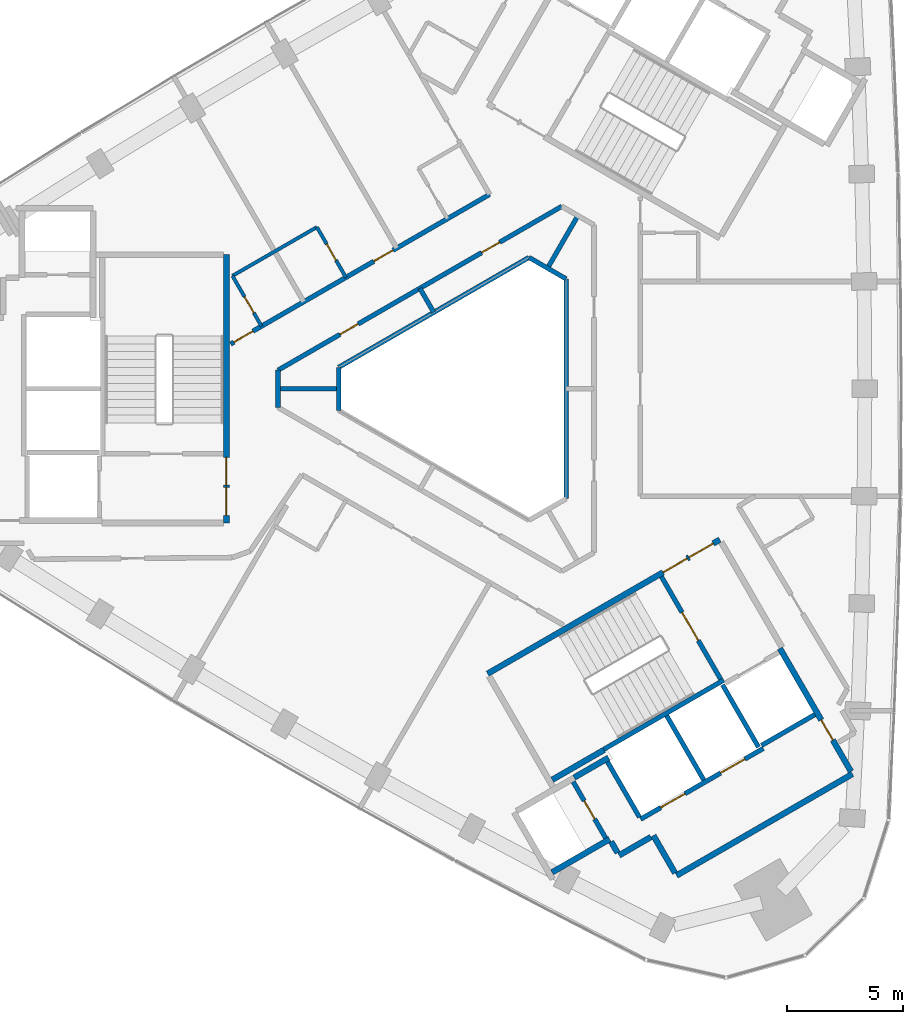
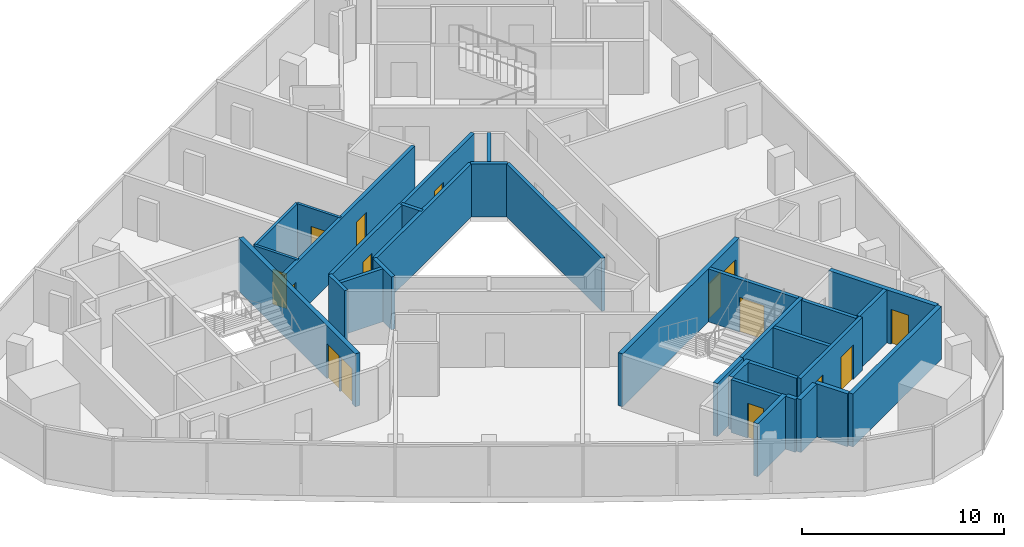
# One storey, part 8 of 11: 31 walls, 15 doors, 15 openings.
"""IFC4 building model written with IfcOpenShell, lengths in metres."""

import ifcopenshell
import ifcopenshell.guid

model = None  # the IFC model being written
_history = None  # IfcOwnerHistory: only IFC2X3 demands one
_inside = {}  # id of a spatial element -> (the spatial element, [elements in it])
_under = {}  # id of a project, library or spatial element -> (it, [spatial elements below it])
_declared = {}  # id of a project -> (the project, [libraries it declares])
_typed = {}  # id of a type object -> (the type object, [elements of that type])
_made_of = {}  # id of a material, layer set ... -> (it, [elements and type objects made of it])


def new_model(schema):
    """Start an empty IFC model of exactly this schema.

    Asked for "IFC4X3", IfcOpenShell would pick the latest addendum, in which some entities
    have other attributes; the version numbers below select the first issue.
    IFC2X3 requires an IfcOwnerHistory on every rooted entity: one is made here for all.
    """
    global model, _history
    if schema == "IFC4X3":
        model = ifcopenshell.file(schema_version=(4, 3, 0, 0))
    else:
        model = ifcopenshell.file(schema=schema)
    _inside.clear()
    _under.clear()
    _declared.clear()
    _typed.clear()
    _made_of.clear()
    _history = None
    if model.schema == "IFC2X3":
        org = make("IfcOrganization", Name="unknown")
        user = make(
            "IfcPersonAndOrganization",
            ThePerson=make("IfcPerson", FamilyName="unknown"),
            TheOrganization=org,
        )
        app = make(
            "IfcApplication",
            ApplicationDeveloper=org,
            Version="unknown",
            ApplicationFullName="unknown",
            ApplicationIdentifier="unknown",
        )
        _history = make(
            "IfcOwnerHistory",
            OwningUser=user,
            OwningApplication=app,
            ChangeAction="ADDED",
            CreationDate=0,
        )
    return model


def make(cls, **values):
    """One entity of the class cls with the attributes given. An attribute that is None is left unset."""
    return model.create_entity(
        cls, **{name: value for name, value in values.items() if value is not None}
    )


def rooted(cls, **values):
    """An entity with a GlobalId (a new one), such as an element, a storey or a relation."""
    return make(cls, GlobalId=ifcopenshell.guid.new(), OwnerHistory=_history, **values)


def si_unit(unit_type, name, prefix=None):
    """IfcSIUnit, for example si_unit("LENGTHUNIT", "METRE", prefix="MILLI")."""
    return make("IfcSIUnit", UnitType=unit_type, Prefix=prefix, Name=name)


def assignment(units):
    """IfcUnitAssignment: the units of a project."""
    return None if units is None else make("IfcUnitAssignment", Units=units)


def point(xyz):
    """IfcCartesianPoint."""
    return None if xyz is None else make("IfcCartesianPoint", Coordinates=xyz)


def direction(xyz):
    """IfcDirection."""
    return None if xyz is None else make("IfcDirection", DirectionRatios=xyz)


def frame(location, z_axis=None, x_axis=None):
    """IfcAxis2Placement3D, a coordinate frame: its origin and axes. An axis left out is left unset."""
    return make(
        "IfcAxis2Placement3D",
        Location=point(location),
        Axis=direction(z_axis),
        RefDirection=direction(x_axis),
    )


def frame_2d(location, x_axis=None):
    """IfcAxis2Placement2D, a coordinate frame in the plane: its origin and x axis."""
    return make(
        "IfcAxis2Placement2D", Location=point(location), RefDirection=direction(x_axis)
    )


def origin():
    """The frame at (0, 0, 0) with its axes left unset."""
    return frame((0.0, 0.0, 0.0))


def place(relative_to, where):
    """IfcLocalPlacement: puts the frame where relative to a parent placement (None: the world)."""
    return make(
        "IfcLocalPlacement", PlacementRelTo=relative_to, RelativePlacement=where
    )


def context(
    kind, dimensions, precision=None, world=None, true_north=None, identifier=None
):
    """IfcGeometricRepresentationContext, for example the 3D "Model" context."""
    return make(
        "IfcGeometricRepresentationContext",
        ContextIdentifier=identifier,
        ContextType=kind,
        CoordinateSpaceDimension=dimensions,
        Precision=precision,
        WorldCoordinateSystem=world,
        TrueNorth=true_north,
    )


def subcontext(parent, identifier, kind, view, scale=None):
    """IfcGeometricRepresentationSubContext, for example "Body" below "Model"."""
    return make(
        "IfcGeometricRepresentationSubContext",
        ContextIdentifier=identifier,
        ContextType=kind,
        ParentContext=parent,
        TargetScale=scale,
        TargetView=view,
    )


def project(units=None, contexts=None):
    """IfcProject with its units and contexts."""
    return rooted(
        "IfcProject",
        Name="project",
        RepresentationContexts=contexts,
        UnitsInContext=assignment(units),
    )


def spatial(cls, under=None, at=None, **own):
    """A site, building, storey or space (cls), placed at a placement, below another one or the project."""
    s = rooted(cls, ObjectPlacement=at, **own)
    if under is not None:
        _under.setdefault(under.id(), (under, []))[1].append(s)
    return s


def profile(cls, at=None, kind="AREA", **sizes):
    """A parametric profile (cls). Its sizes go by their IFC names, for example OverallWidth=200.0."""
    return make(cls, ProfileType=kind, Position=at, **sizes)


def rectangle(**sizes):
    """IfcRectangleProfileDef."""
    return profile("IfcRectangleProfileDef", **sizes)


def extrude(swept, where, along, depth):
    """IfcExtrudedAreaSolid: the profile swept, set in the frame where, extruded along a direction by depth."""
    return make(
        "IfcExtrudedAreaSolid",
        SweptArea=swept,
        Position=where,
        ExtrudedDirection=direction(along),
        Depth=depth,
    )


def shape(context_of_items, identifier, shape_type, items):
    """IfcShapeRepresentation: the items that make up one representation, for example the "Body"."""
    return make(
        "IfcShapeRepresentation",
        ContextOfItems=context_of_items,
        RepresentationIdentifier=identifier,
        RepresentationType=shape_type,
        Items=items,
    )


def material(Name=None, Category=None):
    """IfcMaterial."""
    return make("IfcMaterial", Name=Name, Category=Category)


def layer(
    of_material, thickness, ventilated=None, Name=None, Category=None, Priority=None
):
    """IfcMaterialLayer: one layer of a wall or slab, of a material (None: an air gap)."""
    return make(
        "IfcMaterialLayer",
        Material=of_material,
        LayerThickness=thickness,
        IsVentilated=ventilated,
        Name=Name,
        Category=Category,
        Priority=Priority,
    )


def layer_set(layers, Name=None):
    """IfcMaterialLayerSet."""
    return make("IfcMaterialLayerSet", MaterialLayers=layers, LayerSetName=Name)


def made_of(thing, what):
    """Note that an element or type object is made of a material, layer set ...; save() writes the relation."""
    if what is not None:
        _made_of.setdefault(what.id(), (what, []))[1].append(thing)
    return thing


def type_object(cls, material=None, **own):
    """A type object (cls), such as IfcWallType, which elements share."""
    return made_of(rooted(cls, **own), material)


def element(
    cls,
    number,
    at=None,
    inside=None,
    cuts=None,
    type_object=None,
    material=None,
    context=None,
    identifier="Body",
    shape_type=None,
    held_by="IfcProductDefinitionShape",
    body=None,
    shapes=None,
    **own,
):
    """One element of the class cls, such as IfcWall. Its Tag is "e" and its number.

    at: its placement. inside: the storey or other place that contains it. cuts: it is an
    opening in that element (IfcRelVoidsElement). A single representation is given by context,
    identifier, shape_type and body (its items); several are given by shapes. held_by: the class
    of the entity that holds the representations. save() writes the other relations.
    """
    e = rooted(cls, Tag="e%d" % number, ObjectPlacement=at, **own)
    if body is not None:
        shapes = [shape(context, identifier, shape_type, body)]
    if shapes is not None:
        e.Representation = make(held_by, Representations=shapes)
    if inside is not None:
        _inside.setdefault(inside.id(), (inside, []))[1].append(e)
    if cuts is not None:
        rooted(
            "IfcRelVoidsElement", RelatingBuildingElement=cuts, RelatedOpeningElement=e
        )
    if type_object is not None:
        _typed.setdefault(type_object.id(), (type_object, []))[1].append(e)
    return made_of(e, material)


def fill(opening, filler):
    """IfcRelFillsElement: the door or window that sits in an opening."""
    return rooted(
        "IfcRelFillsElement",
        RelatingOpeningElement=opening,
        RelatedBuildingElement=filler,
    )


def aggregate(whole, parts):
    """IfcRelAggregates: a whole, such as a stair, and the parts it consists of."""
    return rooted("IfcRelAggregates", RelatingObject=whole, RelatedObjects=parts)


def save(model, path):
    """Write the relations noted so far, then the file.

    IfcRelAggregates (storeys below a building ...), IfcRelContainedInSpatialStructure (elements
    in a storey), IfcRelDefinesByType, IfcRelAssociatesMaterial and IfcRelDeclares: one each for
    every whole, place, type object, material and project.
    """
    for whole, parts in _under.values():
        aggregate(whole, parts)
    for where, things in _inside.values():
        rooted(
            "IfcRelContainedInSpatialStructure",
            RelatedElements=things,
            RelatingStructure=where,
        )
    for kind, things in _typed.values():
        rooted("IfcRelDefinesByType", RelatedObjects=things, RelatingType=kind)
    for what, things in _made_of.values():
        rooted("IfcRelAssociatesMaterial", RelatedObjects=things, RelatingMaterial=what)
    for by, libraries in _declared.values():
        rooted("IfcRelDeclares", RelatingContext=by, RelatedDefinitions=libraries)
    model.write(path)


model = new_model("IFC4")

# Units and contexts
model_context = context("Model", 3, precision=1e-05, world=origin(), true_north=direction((0.0, 1.0)))
body_context = subcontext(model_context, "Body", "Model", "MODEL_VIEW")
ifc_project = project(units=[si_unit("LENGTHUNIT", "METRE"), si_unit("AREAUNIT", "SQUARE_METRE"), si_unit("VOLUMEUNIT", "CUBIC_METRE"), si_unit("PLANEANGLEUNIT", "RADIAN"), si_unit("MASSUNIT", "GRAM", prefix="KILO")], contexts=[model_context])

# Site, building, storey
site_placement = place(None, origin())
site = spatial("IfcSite", under=ifc_project, at=site_placement, CompositionType="ELEMENT")
building_placement = place(site_placement, origin())
building = spatial("IfcBuilding", under=site, at=building_placement, Name="Tamra Quay Hotel Tower", CompositionType="ELEMENT")
storey_placement = place(building_placement, frame((0.0, 0.0, 253.800048828125)))
storey = spatial("IfcBuildingStorey", under=building, at=storey_placement, Name="L64", CompositionType="ELEMENT", Elevation=253.800048828125)

# Wall
ifc_material_1 = material(Name="Concrete M70", Category="concrete")
ifc_layer_1 = layer(ifc_material_1, 0.199951171875)
ifc_layer_set_1 = layer_set([ifc_layer_1], Name="Concrete M70 core wall 200")
wall_type_1 = type_object("IfcWallType", Name="Concrete M70 core wall 200", PredefinedType="SHEAR", material=ifc_layer_set_1)
wall_1_placement = place(storey_placement, frame((5.4189453125, -15.533935546875, 0.0), z_axis=(0.0, 0.0, 1.0), x_axis=(0.866029065029, 0.499993658486, 0.0)))
element("IfcWall", 1, at=wall_1_placement, inside=storey, type_object=wall_type_1, Name="CW2", PredefinedType="SHEAR", context=body_context, shape_type="SweptSolid", body=[
    extrude(rectangle(XDim=5.97412109375, YDim=0.199951171875, at=frame_2d((2.987060546875, 0.0))), origin(), (0.0, 0.0, 1.0), 3.199951171875),
])

# Wall, openings, doors
wall_2_placement = place(storey_placement, frame((7.009765625, -18.54150390625, 0.0), z_axis=(0.0, 0.0, 1.0), x_axis=(0.866030299012, 0.499991521122, 0.0)))
wall_2 = element("IfcWall", 2, at=wall_2_placement, inside=storey, type_object=wall_type_1, Name="CW2", PredefinedType="SHEAR", context=body_context, shape_type="SweptSolid", body=[
    extrude(rectangle(XDim=6.10009765625, YDim=0.199951171875, at=frame_2d((3.050048828125, 0.0))), origin(), (0.0, 0.0, 1.0), 3.199951171875),
])
opening_1_placement = place(wall_2_placement, frame((1.0, 0.0, 0.0)))
opening_1 = element("IfcOpeningElement", 3, at=opening_1_placement, cuts=wall_2, Name="Opening LD", PredefinedType="OPENING", context=body_context, shape_type="SweptSolid", body=[
    extrude(rectangle(XDim=1.199951171875, YDim=2.10009765625, at=frame_2d((0.60009765625, 1.050048828125))), frame((0.0, 0.10986328125, 0.0), z_axis=(0.0, -1.0, 0.0), x_axis=(1.0, 0.0, 0.0)), (0.0, 0.0, 1.0), 0.219970703125),
])
opening_2_placement = place(wall_2_placement, frame((3.982177734375, 0.0, 0.0)))
opening_2 = element("IfcOpeningElement", 4, at=opening_2_placement, cuts=wall_2, Name="Opening LD", PredefinedType="OPENING", context=body_context, shape_type="SweptSolid", body=[
    extrude(rectangle(XDim=1.199951171875, YDim=2.10009765625, at=frame_2d((0.60009765625, 1.050048828125))), frame((0.0, 0.10986328125, 0.0), z_axis=(0.0, -1.0, 0.0), x_axis=(1.0, 0.0, 0.0)), (0.0, 0.0, 1.0), 0.219970703125),
])
ifc_material_2 = material(Name="Landing door LD 1200 double door sliding")
door_type_1 = type_object("IfcDoorType", Name="Landing door LD 1200 double door sliding", OperationType="DOUBLE_DOOR_SLIDING", PredefinedType="DOOR", material=ifc_material_2)
door_1_placement = place(opening_1_placement, origin())
door_1 = element("IfcDoor", 5, at=door_1_placement, inside=storey, type_object=door_type_1, Name="LD", OperationType="DOUBLE_DOOR_SLIDING", OverallHeight=2.10009765625, OverallWidth=1.199951171875, PredefinedType="DOOR", context=body_context, shape_type="SweptSolid", body=[
    extrude(rectangle(XDim=1.199951171875, YDim=2.10009765625, at=frame_2d((0.60009765625, 1.050048828125))), frame((0.0, 0.02490234375, 0.0), z_axis=(0.0, -1.0, 0.0), x_axis=(1.0, 0.0, 0.0)), (0.0, 0.0, 1.0), 0.050048828125),
])
fill(opening_1, door_1)
door_2_placement = place(opening_2_placement, origin())
door_2 = element("IfcDoor", 6, at=door_2_placement, inside=storey, type_object=door_type_1, Name="LD", OperationType="DOUBLE_DOOR_SLIDING", OverallHeight=2.10009765625, OverallWidth=1.199951171875, PredefinedType="DOOR", context=body_context, shape_type="SweptSolid", body=[
    extrude(rectangle(XDim=1.199951171875, YDim=2.10009765625, at=frame_2d((0.60009765625, 1.050048828125))), frame((0.0, 0.02490234375, 0.0), z_axis=(0.0, -1.0, 0.0), x_axis=(1.0, 0.0, 0.0)), (0.0, 0.0, 1.0), 0.050048828125),
])
fill(opening_2, door_2)

# Wall, opening, door
wall_3_placement = place(storey_placement, frame((7.906494140625, -8.094482421875, 0.0), z_axis=(0.0, 0.0, 1.0), x_axis=(0.500027839223, -0.866009330205, 0.0)))
wall_3 = element("IfcWall", 7, at=wall_3_placement, inside=storey, type_object=wall_type_1, Name="CW2", PredefinedType="SHEAR", context=body_context, shape_type="SweptSolid", body=[
    extrude(rectangle(XDim=5.097900390625, YDim=0.199951171875, at=frame_2d((2.548828125, 0.0))), origin(), (0.0, 0.0, 1.0), 3.199951171875),
])
opening_3_placement = place(wall_3_placement, frame((1.77392578125, 0.0, 0.0)))
opening_3 = element("IfcOpeningElement", 8, at=opening_3_placement, cuts=wall_3, Name="Opening FD2", PredefinedType="OPENING", context=body_context, shape_type="SweptSolid", body=[
    extrude(rectangle(XDim=1.39990234375, YDim=2.10009765625, at=frame_2d((0.699951171875, 1.050048828125))), frame((0.0, 0.10986328125, 0.0), z_axis=(0.0, -1.0, 0.0), x_axis=(1.0, 0.0, 0.0)), (0.0, 0.0, 1.0), 0.219970703125),
])
ifc_material_3 = material(Name="Core door FD2 1400x2100 RH")
door_type_2 = type_object("IfcDoorType", Name="Core door FD2 1400x2100 RH", OperationType="NOTDEFINED", PredefinedType="DOOR", material=ifc_material_3)
door_3_placement = place(opening_3_placement, origin())
door_3 = element("IfcDoor", 9, at=door_3_placement, inside=storey, type_object=door_type_2, Name="FD2", OperationType="SINGLE_SWING_RIGHT", OverallHeight=2.10009765625, OverallWidth=1.39990234375, PredefinedType="DOOR", context=body_context, shape_type="SweptSolid", body=[
    extrude(rectangle(XDim=1.39990234375, YDim=2.10009765625, at=frame_2d((0.699951171875, 1.050048828125))), frame((0.0, 0.02490234375, 0.0), z_axis=(0.0, -1.0, 0.0), x_axis=(1.0, 0.0, 0.0)), (0.0, 0.0, 1.0), 0.050048828125),
])
fill(opening_3, door_3)

# Wall
wall_4_placement = place(storey_placement, frame((8.131591796875, -14.084228515625, 0.0), z_axis=(0.0, 0.0, 1.0), x_axis=(0.499997778408, -0.866026686418, 0.0)))
element("IfcWall", 10, at=wall_4_placement, inside=storey, type_object=wall_type_1, Name="CW2", PredefinedType="SHEAR", context=body_context, shape_type="SweptSolid", body=[
    extrude(rectangle(XDim=3.1982421875, YDim=0.199951171875, at=frame_2d((1.59912109375, 0.0))), origin(), (0.0, 0.0, 1.0), 3.199951171875),
])

# Wall, opening, door
wall_5_placement = place(storey_placement, frame((5.50341796875, -19.352294921875, 0.0), z_axis=(0.0, 0.0, 1.0), x_axis=(-0.499986818241, 0.866033014143, 0.0)))
wall_5 = element("IfcWall", 11, at=wall_5_placement, inside=storey, type_object=wall_type_1, Name="CW2", PredefinedType="SHEAR", context=body_context, shape_type="SweptSolid", body=[
    extrude(rectangle(XDim=2.7978515625, YDim=0.199951171875, at=frame_2d((1.39892578125, 0.0))), origin(), (0.0, 0.0, 1.0), 3.199951171875),
])
opening_4_placement = place(wall_5_placement, frame((0.948974609375, 0.0, 0.0)))
opening_4 = element("IfcOpeningElement", 12, at=opening_4_placement, cuts=wall_5, Name="Opening D1", PredefinedType="OPENING", context=body_context, shape_type="SweptSolid", body=[
    extrude(rectangle(XDim=0.89990234375, YDim=2.10009765625, at=frame_2d((0.449951171875, 1.050048828125))), frame((0.0, 0.10986328125, 0.0), z_axis=(0.0, -1.0, 0.0), x_axis=(1.0, 0.0, 0.0)), (0.0, 0.0, 1.0), 0.219970703125),
])
ifc_material_4 = material(Name="Core door D1 900x2100 LH")
door_type_3 = type_object("IfcDoorType", Name="Core door D1 900x2100 LH", OperationType="NOTDEFINED", PredefinedType="DOOR", material=ifc_material_4)
door_4_placement = place(opening_4_placement, origin())
door_4 = element("IfcDoor", 13, at=door_4_placement, inside=storey, type_object=door_type_3, Name="D1", OperationType="SINGLE_SWING_LEFT", OverallHeight=2.10009765625, OverallWidth=0.89990234375, PredefinedType="DOOR", context=body_context, shape_type="SweptSolid", body=[
    extrude(rectangle(XDim=0.89990234375, YDim=2.10009765625, at=frame_2d((0.449951171875, 1.050048828125))), frame((0.0, 0.02490234375, 0.0), z_axis=(0.0, -1.0, 0.0), x_axis=(1.0, 0.0, 0.0)), (0.0, 0.0, 1.0), 0.050048828125),
])
fill(opening_4, door_4)

# Walls
wall_6_placement = place(storey_placement, frame((6.959716796875, -18.455078125, 0.0), z_axis=(0.0, 0.0, 1.0), x_axis=(-0.499926705758, 0.866067716099, 0.0)))
element("IfcWall", 14, at=wall_6_placement, inside=storey, type_object=wall_type_1, Name="CW2", PredefinedType="SHEAR", context=body_context, shape_type="SweptSolid", body=[
    extrude(rectangle(XDim=2.75927734375, YDim=0.199951171875, at=frame_2d((1.379638671875, 0.0))), origin(), (0.0, 0.0, 1.0), 3.199951171875),
])
wall_7_placement = place(storey_placement, frame((12.087646484375, -15.4365234375, 0.0), z_axis=(0.0, 0.0, 1.0), x_axis=(-0.500026960575, 0.86600983753, 0.0)))
element("IfcWall", 15, at=wall_7_placement, inside=storey, type_object=wall_type_1, Name="CW2", PredefinedType="SHEAR", context=body_context, shape_type="SweptSolid", body=[
    extrude(rectangle(XDim=3.099853515625, YDim=0.199951171875, at=frame_2d((1.5498046875, 0.0))), origin(), (0.0, 0.0, 1.0), 3.199951171875),
])
wall_8_placement = place(storey_placement, frame((14.51171875, -14.037109375, 0.0), z_axis=(0.0, 0.0, 1.0), x_axis=(-0.866018407898, -0.500012117035, 0.0)))
element("IfcWall", 16, at=wall_8_placement, inside=storey, type_object=wall_type_1, Name="CW2", PredefinedType="SHEAR", context=body_context, shape_type="SweptSolid", body=[
    extrude(rectangle(XDim=2.65087890625, YDim=0.199951171875, at=frame_2d((1.325439453125, 0.0))), origin(), (0.0, 0.0, 1.0), 3.199951171875),
])

# Wall, openings, doors
ifc_layer_2 = layer(ifc_material_1, 0.25)
ifc_layer_set_2 = layer_set([ifc_layer_2], Name="Concrete M70 core wall 250")
wall_type_2 = type_object("IfcWallType", Name="Concrete M70 core wall 250", PredefinedType="SHEAR", material=ifc_layer_set_2)
wall_9_placement = place(storey_placement, frame((-10.83740234375, 5.77490234375, 0.0), z_axis=(0.0, 0.0, 1.0), x_axis=(0.0, -1.0, 0.0)))
wall_9 = element("IfcWall", 17, at=wall_9_placement, inside=storey, type_object=wall_type_2, Name="CW1", PredefinedType="SHEAR", context=body_context, shape_type="SweptSolid", body=[
    extrude(rectangle(XDim=11.5498046875, YDim=0.25, at=frame_2d((5.77490234375, 0.0))), origin(), (0.0, 0.0, 1.0), 3.199951171875),
])
opening_5_placement = place(wall_9_placement, frame((10.02490234375, 0.0, 0.0)))
opening_5 = element("IfcOpeningElement", 18, at=opening_5_placement, cuts=wall_9, Name="Opening FD1", PredefinedType="OPENING", context=body_context, shape_type="SweptSolid", body=[
    extrude(rectangle(XDim=1.199951171875, YDim=2.10009765625, at=frame_2d((0.60009765625, 1.050048828125))), frame((0.0, 0.135009765625, 0.0), z_axis=(0.0, -1.0, 0.0), x_axis=(1.0, 0.0, 0.0)), (0.0, 0.0, 1.0), 0.27001953125),
])
opening_6_placement = place(wall_9_placement, frame((8.72509765625, 0.0, 0.0)))
opening_6 = element("IfcOpeningElement", 19, at=opening_6_placement, cuts=wall_9, Name="Opening FD1", PredefinedType="OPENING", context=body_context, shape_type="SweptSolid", body=[
    extrude(rectangle(XDim=1.199951171875, YDim=2.10009765625, at=frame_2d((0.60009765625, 1.050048828125))), frame((0.0, 0.135009765625, 0.0), z_axis=(0.0, -1.0, 0.0), x_axis=(1.0, 0.0, 0.0)), (0.0, 0.0, 1.0), 0.27001953125),
])
ifc_material_5 = material(Name="Core door FD1 1200x2100 LH")
door_type_4 = type_object("IfcDoorType", Name="Core door FD1 1200x2100 LH", OperationType="NOTDEFINED", PredefinedType="DOOR", material=ifc_material_5)
door_5_placement = place(opening_5_placement, origin())
door_5 = element("IfcDoor", 20, at=door_5_placement, inside=storey, type_object=door_type_4, Name="FD1", OperationType="SINGLE_SWING_LEFT", OverallHeight=2.10009765625, OverallWidth=1.199951171875, PredefinedType="DOOR", context=body_context, shape_type="SweptSolid", body=[
    extrude(rectangle(XDim=1.199951171875, YDim=2.10009765625, at=frame_2d((0.60009765625, 1.050048828125))), frame((0.0, 0.02490234375, 0.0), z_axis=(0.0, -1.0, 0.0), x_axis=(1.0, 0.0, 0.0)), (0.0, 0.0, 1.0), 0.050048828125),
])
fill(opening_5, door_5)
ifc_material_6 = material(Name="Core door FD1 1200x2100 RH")
door_type_5 = type_object("IfcDoorType", Name="Core door FD1 1200x2100 RH", OperationType="NOTDEFINED", PredefinedType="DOOR", material=ifc_material_6)
door_6_placement = place(opening_6_placement, origin())
door_6 = element("IfcDoor", 21, at=door_6_placement, inside=storey, type_object=door_type_5, Name="FD1", OperationType="SINGLE_SWING_RIGHT", OverallHeight=2.10009765625, OverallWidth=1.199951171875, PredefinedType="DOOR", context=body_context, shape_type="SweptSolid", body=[
    extrude(rectangle(XDim=1.199951171875, YDim=2.10009765625, at=frame_2d((0.60009765625, 1.050048828125))), frame((0.0, 0.02490234375, 0.0), z_axis=(0.0, -1.0, 0.0), x_axis=(1.0, 0.0, 0.0)), (0.0, 0.0, 1.0), 0.050048828125),
])
fill(opening_6, door_6)

wall_10_placement = place(storey_placement, frame((0.417236328125, -12.27294921875, 0.0), z_axis=(0.0, 0.0, 1.0), x_axis=(0.866021906294, 0.500006057782, 0.0)))
wall_10 = element("IfcWall", 22, at=wall_10_placement, inside=storey, type_object=wall_type_2, Name="CW1", PredefinedType="SHEAR", context=body_context, shape_type="SweptSolid", body=[
    extrude(rectangle(XDim=11.550048828125, YDim=0.25, at=frame_2d((5.77490234375, 0.0))), origin(), (0.0, 0.0, 1.0), 3.199951171875),
])
opening_7_placement = place(wall_10_placement, frame((10.024658203125, 0.0, 0.0)))
opening_7 = element("IfcOpeningElement", 23, at=opening_7_placement, cuts=wall_10, Name="Opening FD1", PredefinedType="OPENING", context=body_context, shape_type="SweptSolid", body=[
    extrude(rectangle(XDim=1.199951171875, YDim=2.10009765625, at=frame_2d((0.60009765625, 1.050048828125))), frame((0.0, 0.135009765625, 0.0), z_axis=(0.0, -1.0, 0.0), x_axis=(1.0, 0.0, 0.0)), (0.0, 0.0, 1.0), 0.27001953125),
])
opening_8_placement = place(wall_10_placement, frame((8.724609375, 0.0, 0.0)))
opening_8 = element("IfcOpeningElement", 24, at=opening_8_placement, cuts=wall_10, Name="Opening FD1", PredefinedType="OPENING", context=body_context, shape_type="SweptSolid", body=[
    extrude(rectangle(XDim=1.199951171875, YDim=2.10009765625, at=frame_2d((0.60009765625, 1.050048828125))), frame((0.0, 0.135009765625, 0.0), z_axis=(0.0, -1.0, 0.0), x_axis=(1.0, 0.0, 0.0)), (0.0, 0.0, 1.0), 0.27001953125),
])
door_7_placement = place(opening_7_placement, origin())
door_7 = element("IfcDoor", 25, at=door_7_placement, inside=storey, type_object=door_type_4, Name="FD1", OperationType="SINGLE_SWING_LEFT", OverallHeight=2.10009765625, OverallWidth=1.199951171875, PredefinedType="DOOR", context=body_context, shape_type="SweptSolid", body=[
    extrude(rectangle(XDim=1.199951171875, YDim=2.10009765625, at=frame_2d((0.60009765625, 1.050048828125))), frame((0.0, 0.02490234375, 0.0), z_axis=(0.0, -1.0, 0.0), x_axis=(1.0, 0.0, 0.0)), (0.0, 0.0, 1.0), 0.050048828125),
])
fill(opening_7, door_7)
door_8_placement = place(opening_8_placement, origin())
door_8 = element("IfcDoor", 26, at=door_8_placement, inside=storey, type_object=door_type_5, Name="FD1", OperationType="SINGLE_SWING_RIGHT", OverallHeight=2.10009765625, OverallWidth=1.199951171875, PredefinedType="DOOR", context=body_context, shape_type="SweptSolid", body=[
    extrude(rectangle(XDim=1.199951171875, YDim=2.10009765625, at=frame_2d((0.60009765625, 1.050048828125))), frame((0.0, 0.02490234375, 0.0), z_axis=(0.0, -1.0, 0.0), x_axis=(1.0, 0.0, 0.0)), (0.0, 0.0, 1.0), 0.050048828125),
])
fill(opening_8, door_8)

# Wall
wall_11_placement = place(storey_placement, frame((16.13330078125, -16.59375, 0.0), z_axis=(0.0, 0.0, 1.0), x_axis=(-0.866022959057, -0.500004234368, 0.0)))
element("IfcWall", 27, at=wall_11_placement, inside=storey, type_object=wall_type_2, Name="CW1", PredefinedType="SHEAR", context=body_context, shape_type="SweptSolid", body=[
    extrude(rectangle(XDim=8.75, YDim=0.25, at=frame_2d((4.375, 0.0))), origin(), (0.0, 0.0, 1.0), 3.199951171875),
])

# Wall, opening, door
wall_12_placement = place(storey_placement, frame((13.00830078125, -11.18115234375, 0.0), z_axis=(0.0, 0.0, 1.0), x_axis=(0.500001955336, -0.866024274868, 0.0)))
wall_12 = element("IfcWall", 28, at=wall_12_placement, inside=storey, type_object=wall_type_2, Name="CW1", PredefinedType="SHEAR", context=body_context, shape_type="SweptSolid", body=[
    extrude(rectangle(XDim=6.12451171875, YDim=0.25, at=frame_2d((3.062255859375, 0.0))), origin(), (0.0, 0.0, 1.0), 3.199951171875),
])
opening_9_placement = place(wall_12_placement, frame((3.562744140625, 0.0, 0.0)))
opening_9 = element("IfcOpeningElement", 29, at=opening_9_placement, cuts=wall_12, Name="Opening FD3", PredefinedType="OPENING", context=body_context, shape_type="SweptSolid", body=[
    extrude(rectangle(XDim=1.0, YDim=2.10009765625, at=frame_2d((0.5, 1.050048828125))), frame((0.0, 0.135009765625, 0.0), z_axis=(0.0, -1.0, 0.0), x_axis=(1.0, 0.0, 0.0)), (0.0, 0.0, 1.0), 0.27001953125),
])
ifc_material_7 = material(Name="Core door FD3 1000x2100 LH")
door_type_6 = type_object("IfcDoorType", Name="Core door FD3 1000x2100 LH", OperationType="NOTDEFINED", PredefinedType="DOOR", material=ifc_material_7)
door_9_placement = place(opening_9_placement, origin())
door_9 = element("IfcDoor", 30, at=door_9_placement, inside=storey, type_object=door_type_6, Name="FD3", OperationType="SINGLE_SWING_LEFT", OverallHeight=2.10009765625, OverallWidth=1.0, PredefinedType="DOOR", context=body_context, shape_type="SweptSolid", body=[
    extrude(rectangle(XDim=1.0, YDim=2.10009765625, at=frame_2d((0.5, 1.050048828125))), frame((0.0, 0.02490234375, 0.0), z_axis=(0.0, -1.0, 0.0), x_axis=(1.0, 0.0, 0.0)), (0.0, 0.0, 1.0), 0.050048828125),
])
fill(opening_9, door_9)

# Walls
wall_13_placement = place(storey_placement, frame((5.6748046875, -19.39892578125, 0.0), z_axis=(0.0, 0.0, 1.0), x_axis=(-0.866026637627, -0.499997862916, 0.0)))
element("IfcWall", 31, at=wall_13_placement, inside=storey, type_object=wall_type_2, Name="CW1", PredefinedType="SHEAR", context=body_context, shape_type="SweptSolid", body=[
    extrude(rectangle(XDim=2.86474609375, YDim=0.25, at=frame_2d((1.432373046875, 0.0))), origin(), (0.0, 0.0, 1.0), 3.199951171875),
])
wall_14_placement = place(storey_placement, frame((5.4306640625, -15.55615234375, 0.0), z_axis=(0.0, 0.0, 1.0), x_axis=(-0.866022940537, -0.500004266446, 0.0)))
element("IfcWall", 32, at=wall_14_placement, inside=storey, type_object=wall_type_2, Name="CW1", PredefinedType="SHEAR", context=body_context, shape_type="SweptSolid", body=[
    extrude(rectangle(XDim=2.57470703125, YDim=0.25, at=frame_2d((1.287353515625, 0.0))), origin(), (0.0, 0.0, 1.0), 3.199951171875),
])
wall_15_placement = place(storey_placement, frame((8.492919921875, -20.860107421875, 0.0), z_axis=(0.0, 0.0, 1.0), x_axis=(-0.500039802285, 0.866002422705, 0.0)))
element("IfcWall", 33, at=wall_15_placement, inside=storey, type_object=wall_type_2, Name="CW1", PredefinedType="SHEAR", context=body_context, shape_type="SweptSolid", body=[
    extrude(rectangle(XDim=1.864501953125, YDim=0.25, at=frame_2d((0.93212890625, 0.0))), origin(), (0.0, 0.0, 1.0), 3.199951171875),
])
wall_16_placement = place(storey_placement, frame((4.144775390625, -16.748779296875, 0.0), z_axis=(0.0, 0.0, 1.0), x_axis=(0.866038183914, 0.499977863513, 0.0)))
element("IfcWall", 34, at=wall_16_placement, inside=storey, type_object=wall_type_2, Name="CW1", PredefinedType="SHEAR", context=body_context, shape_type="SweptSolid", body=[
    extrude(rectangle(XDim=1.7099609375, YDim=0.25, at=frame_2d((0.85498046875, 0.0))), origin(), (0.0, 0.0, 1.0), 3.199951171875),
])
wall_17_placement = place(storey_placement, frame((7.451904296875, -19.30810546875, 0.0), z_axis=(0.0, 0.0, 1.0), x_axis=(-0.866044474677, -0.49996696679, 0.0)))
element("IfcWall", 35, at=wall_17_placement, inside=storey, type_object=wall_type_2, Name="CW1", PredefinedType="SHEAR", context=body_context, shape_type="SweptSolid", body=[
    extrude(rectangle(XDim=1.58447265625, YDim=0.25, at=frame_2d((0.792236328125, 0.0))), origin(), (0.0, 0.0, 1.0), 3.199951171875),
])
wall_18_placement = place(storey_placement, frame((6.01708984375, -19.99169921875, 0.0), z_axis=(0.0, 0.0, 1.0), x_axis=(-0.500364886717, 0.865814633822, 0.0)))
element("IfcWall", 36, at=wall_18_placement, inside=storey, type_object=wall_type_2, Name="CW1", PredefinedType="SHEAR", context=body_context, shape_type="SweptSolid", body=[
    extrude(rectangle(XDim=0.55908203125, YDim=0.25, at=frame_2d((0.279541015625, 0.0))), origin(), (0.0, 0.0, 1.0), 3.199951171875),
])

# Wall, openings, doors
ifc_material_8 = material(Name="Partition corridor wall")
ifc_layer_3 = layer(ifc_material_8, 0.199951171875)
ifc_layer_set_3 = layer_set([ifc_layer_3], Name="Partition corridor wall")
wall_type_3 = type_object("IfcWallType", Name="Partition corridor wall", PredefinedType="PARTITIONING", material=ifc_layer_set_3)
wall_19_placement = place(storey_placement, frame((-10.65234375, 1.927978515625, 0.0), z_axis=(0.0, 0.0, 1.0), x_axis=(0.865793573301, 0.500401327367, 0.0)))
wall_19 = element("IfcWall", 37, at=wall_19_placement, inside=storey, type_object=wall_type_3, Name="W-C", PredefinedType="PARTITIONING", context=body_context, shape_type="SweptSolid", body=[
    extrude(rectangle(XDim=12.88623046875, YDim=0.199951171875, at=frame_2d((6.443115234375, 0.0))), origin(), (0.0, 0.0, 1.0), 3.199951171875),
])
opening_10_placement = place(wall_19_placement, frame((7.122802734375, 0.0, 0.0)))
opening_10 = element("IfcOpeningElement", 38, at=opening_10_placement, cuts=wall_19, Name="Opening L64-D005", PredefinedType="OPENING", context=body_context, shape_type="SweptSolid", body=[
    extrude(rectangle(XDim=0.949951171875, YDim=2.10009765625, at=frame_2d((0.47509765625, 1.050048828125))), frame((0.0, 0.10986328125, 0.0), z_axis=(0.0, -1.0, 0.0), x_axis=(1.0, 0.0, 0.0)), (0.0, 0.0, 1.0), 0.219970703125),
])
opening_11_placement = place(wall_19_placement, frame((0.159912109375, 0.0, 0.0)))
opening_11 = element("IfcOpeningElement", 39, at=opening_11_placement, cuts=wall_19, Name="Opening L64-D007", PredefinedType="OPENING", context=body_context, shape_type="SweptSolid", body=[
    extrude(rectangle(XDim=0.949951171875, YDim=2.10009765625, at=frame_2d((0.47509765625, 1.050048828125))), frame((0.0, 0.10986328125, 0.0), z_axis=(0.0, -1.0, 0.0), x_axis=(1.0, 0.0, 0.0)), (0.0, 0.0, 1.0), 0.219970703125),
])
ifc_material_9 = material(Name="Door guest room 950x2100")
door_type_7 = type_object("IfcDoorType", Name="Door guest room 950x2100", OperationType="NOTDEFINED", PredefinedType="DOOR", material=ifc_material_9)
door_10_placement = place(opening_10_placement, origin())
door_10 = element("IfcDoor", 40, at=door_10_placement, inside=storey, type_object=door_type_7, Name="L64-D005", OperationType="SINGLE_SWING_LEFT", OverallHeight=2.10009765625, OverallWidth=0.949951171875, PredefinedType="DOOR", context=body_context, shape_type="SweptSolid", body=[
    extrude(rectangle(XDim=0.949951171875, YDim=2.10009765625, at=frame_2d((0.47509765625, 1.050048828125))), frame((0.0, 0.02490234375, 0.0), z_axis=(0.0, -1.0, 0.0), x_axis=(1.0, 0.0, 0.0)), (0.0, 0.0, 1.0), 0.050048828125),
])
fill(opening_10, door_10)
door_11_placement = place(opening_11_placement, origin())
door_11 = element("IfcDoor", 41, at=door_11_placement, inside=storey, type_object=door_type_7, Name="L64-D007", OperationType="SINGLE_SWING_LEFT", OverallHeight=2.10009765625, OverallWidth=0.949951171875, PredefinedType="DOOR", context=body_context, shape_type="SweptSolid", body=[
    extrude(rectangle(XDim=0.949951171875, YDim=2.10009765625, at=frame_2d((0.47509765625, 1.050048828125))), frame((0.0, 0.02490234375, 0.0), z_axis=(0.0, -1.0, 0.0), x_axis=(1.0, 0.0, 0.0)), (0.0, 0.0, 1.0), 0.050048828125),
])
fill(opening_11, door_11)

# Wall
wall_20_placement = place(storey_placement, frame((-8.612060546875, -0.801025390625, 0.0), z_axis=(0.0, 0.0, 1.0), x_axis=(0.0, 1.0, 0.0)))
element("IfcWall", 42, at=wall_20_placement, inside=storey, type_object=wall_type_3, Name="W-C", PredefinedType="PARTITIONING", context=body_context, shape_type="SweptSolid", body=[
    extrude(rectangle(XDim=1.60205078125, YDim=0.199951171875, at=frame_2d((0.801025390625, 0.0))), origin(), (0.0, 0.0, 1.0), 3.199951171875),
])

# Wall, openings, doors
wall_21_placement = place(storey_placement, frame((-8.61181640625, 0.80078125, 0.0), z_axis=(0.0, 0.0, 1.0), x_axis=(0.866005560651, 0.500034367741, 0.0)))
wall_21 = element("IfcWall", 43, at=wall_21_placement, inside=storey, type_object=wall_type_3, Name="W-C", PredefinedType="PARTITIONING", context=body_context, shape_type="SweptSolid", body=[
    extrude(rectangle(XDim=14.115234375, YDim=0.199951171875, at=frame_2d((7.0576171875, 0.0))), origin(), (0.0, 0.0, 1.0), 3.199951171875),
])
opening_12_placement = place(wall_21_placement, frame((10.130615234375, 0.0, 0.0)))
opening_12 = element("IfcOpeningElement", 44, at=opening_12_placement, cuts=wall_21, Name="Opening L64-D020", PredefinedType="OPENING", context=body_context, shape_type="SweptSolid", body=[
    extrude(rectangle(XDim=0.89990234375, YDim=2.10009765625, at=frame_2d((0.449951171875, 1.050048828125))), frame((0.0, 0.10986328125, 0.0), z_axis=(0.0, -1.0, 0.0), x_axis=(1.0, 0.0, 0.0)), (0.0, 0.0, 1.0), 0.219970703125),
])
opening_13_placement = place(wall_21_placement, frame((3.084716796875, 0.0, 0.0)))
opening_13 = element("IfcOpeningElement", 45, at=opening_13_placement, cuts=wall_21, Name="Opening L64-D021", PredefinedType="OPENING", context=body_context, shape_type="SweptSolid", body=[
    extrude(rectangle(XDim=0.89990234375, YDim=2.10009765625, at=frame_2d((0.449951171875, 1.050048828125))), frame((0.0, 0.10986328125, 0.0), z_axis=(0.0, -1.0, 0.0), x_axis=(1.0, 0.0, 0.0)), (0.0, 0.0, 1.0), 0.219970703125),
])
ifc_material_10 = material(Name="Door service room 900x2100")
door_type_8 = type_object("IfcDoorType", Name="Door service room 900x2100", OperationType="NOTDEFINED", PredefinedType="DOOR", material=ifc_material_10)
door_12_placement = place(opening_12_placement, frame((0.89990234375, 0.0, 0.0), z_axis=(0.0, 0.0, 1.0), x_axis=(-1.0, 0.0, 0.0)))
door_12 = element("IfcDoor", 46, at=door_12_placement, inside=storey, type_object=door_type_8, Name="L64-D020", OperationType="SINGLE_SWING_LEFT", OverallHeight=2.10009765625, OverallWidth=0.89990234375, PredefinedType="DOOR", context=body_context, shape_type="SweptSolid", body=[
    extrude(rectangle(XDim=0.89990234375, YDim=2.10009765625, at=frame_2d((0.449951171875, 1.050048828125))), frame((0.0, 0.02490234375, 0.0), z_axis=(0.0, -1.0, 0.0), x_axis=(1.0, 0.0, 0.0)), (0.0, 0.0, 1.0), 0.050048828125),
])
fill(opening_12, door_12)
door_13_placement = place(opening_13_placement, frame((0.89990234375, 0.0, 0.0), z_axis=(0.0, 0.0, 1.0), x_axis=(-1.0, 0.0, 0.0)))
door_13 = element("IfcDoor", 47, at=door_13_placement, inside=storey, type_object=door_type_8, Name="L64-D021", OperationType="SINGLE_SWING_LEFT", OverallHeight=2.10009765625, OverallWidth=0.89990234375, PredefinedType="DOOR", context=body_context, shape_type="SweptSolid", body=[
    extrude(rectangle(XDim=0.89990234375, YDim=2.10009765625, at=frame_2d((0.449951171875, 1.050048828125))), frame((0.0, 0.02490234375, 0.0), z_axis=(0.0, -1.0, 0.0), x_axis=(1.0, 0.0, 0.0)), (0.0, 0.0, 1.0), 0.050048828125),
])
fill(opening_13, door_13)

# Wall
ifc_material_11 = material(Name="Partition en-suite wall")
ifc_layer_4 = layer(ifc_material_11, 0.14990234375)
ifc_layer_set_4 = layer_set([ifc_layer_4], Name="Partition en-suite wall")
wall_type_4 = type_object("IfcWallType", Name="Partition en-suite wall", PredefinedType="PARTITIONING", material=ifc_layer_set_4)
wall_22_placement = place(storey_placement, frame((-10.574462890625, 4.865966796875, 0.0), z_axis=(0.0, 0.0, 1.0), x_axis=(0.866052994476, 0.499952208475, 0.0)))
element("IfcWall", 48, at=wall_22_placement, inside=storey, type_object=wall_type_4, Name="W-E", PredefinedType="PARTITIONING", context=body_context, shape_type="SweptSolid", body=[
    extrude(rectangle(XDim=4.20068359375, YDim=0.14990234375, at=frame_2d((2.100341796875, 0.0))), origin(), (0.0, 0.0, 1.0), 3.199951171875),
])

# Wall, opening, door
wall_23_placement = place(storey_placement, frame((-10.573974609375, 4.864990234375, 0.0), z_axis=(0.0, 0.0, 1.0), x_axis=(0.500004234368, -0.866022959057, 0.0)))
wall_23 = element("IfcWall", 49, at=wall_23_placement, inside=storey, type_object=wall_type_4, Name="W-E", PredefinedType="PARTITIONING", context=body_context, shape_type="SweptSolid", body=[
    extrude(rectangle(XDim=2.5, YDim=0.14990234375, at=frame_2d((1.25, 0.0))), origin(), (0.0, 0.0, 1.0), 3.199951171875),
])
opening_14_placement = place(wall_23_placement, frame((1.04541015625, 0.0, 0.0)))
opening_14 = element("IfcOpeningElement", 50, at=opening_14_placement, cuts=wall_23, Name="Opening L64-D008", PredefinedType="OPENING", context=body_context, shape_type="SweptSolid", body=[
    extrude(rectangle(XDim=0.800048828125, YDim=2.10009765625, at=frame_2d((0.39990234375, 1.050048828125))), frame((0.0, 0.0849609375, 0.0), z_axis=(0.0, -1.0, 0.0), x_axis=(1.0, 0.0, 0.0)), (0.0, 0.0, 1.0), 0.169921875),
])
ifc_material_12 = material(Name="Door en-suite 800x2100")
door_type_9 = type_object("IfcDoorType", Name="Door en-suite 800x2100", OperationType="NOTDEFINED", PredefinedType="DOOR", material=ifc_material_12)
door_14_placement = place(opening_14_placement, frame((0.800048828125, 0.0, 0.0), z_axis=(0.0, 0.0, 1.0), x_axis=(-1.0, 0.0, 0.0)))
door_14 = element("IfcDoor", 51, at=door_14_placement, inside=storey, type_object=door_type_9, Name="L64-D008", OperationType="SINGLE_SWING_LEFT", OverallHeight=2.10009765625, OverallWidth=0.800048828125, PredefinedType="DOOR", context=body_context, shape_type="SweptSolid", body=[
    extrude(rectangle(XDim=0.800048828125, YDim=2.10009765625, at=frame_2d((0.39990234375, 1.050048828125))), frame((0.0, 0.02490234375, 0.0), z_axis=(0.0, -1.0, 0.0), x_axis=(1.0, 0.0, 0.0)), (0.0, 0.0, 1.0), 0.050048828125),
])
fill(opening_14, door_14)

wall_24_placement = place(storey_placement, frame((-6.93603515625, 6.965087890625, 0.0), z_axis=(0.0, 0.0, 1.0), x_axis=(0.500004234368, -0.866022959057, 0.0)))
wall_24 = element("IfcWall", 52, at=wall_24_placement, inside=storey, type_object=wall_type_4, Name="W-E", PredefinedType="PARTITIONING", context=body_context, shape_type="SweptSolid", body=[
    extrude(rectangle(XDim=2.5, YDim=0.14990234375, at=frame_2d((1.25, 0.0))), origin(), (0.0, 0.0, 1.0), 3.199951171875),
])
opening_15_placement = place(wall_24_placement, frame((0.849853515625, 0.0, 0.0)))
opening_15 = element("IfcOpeningElement", 53, at=opening_15_placement, cuts=wall_24, Name="Opening L64-D006", PredefinedType="OPENING", context=body_context, shape_type="SweptSolid", body=[
    extrude(rectangle(XDim=0.800048828125, YDim=2.10009765625, at=frame_2d((0.39990234375, 1.050048828125))), frame((0.0, 0.0849609375, 0.0), z_axis=(0.0, -1.0, 0.0), x_axis=(1.0, 0.0, 0.0)), (0.0, 0.0, 1.0), 0.169921875),
])
door_15_placement = place(opening_15_placement, origin())
door_15 = element("IfcDoor", 54, at=door_15_placement, inside=storey, type_object=door_type_9, Name="L64-D006", OperationType="SINGLE_SWING_LEFT", OverallHeight=2.10009765625, OverallWidth=0.800048828125, PredefinedType="DOOR", context=body_context, shape_type="SweptSolid", body=[
    extrude(rectangle(XDim=0.800048828125, YDim=2.10009765625, at=frame_2d((0.39990234375, 1.050048828125))), frame((0.0, 0.02490234375, 0.0), z_axis=(0.0, -1.0, 0.0), x_axis=(1.0, 0.0, 0.0)), (0.0, 0.0, 1.0), 0.050048828125),
])
fill(opening_15, door_15)

# Walls
ifc_material_13 = material(Name="Partition party wall")
ifc_layer_5 = layer(ifc_material_13, 0.199951171875)
ifc_layer_set_5 = layer_set([ifc_layer_5], Name="Partition party wall")
wall_type_5 = type_object("IfcWallType", Name="Partition party wall", PredefinedType="PARTITIONING", material=ifc_layer_set_5)
wall_25_placement = place(storey_placement, frame((-8.60693359375, 0.0, 0.0), z_axis=(0.0, 0.0, 1.0), x_axis=(1.0, 0.0, 0.0)))
element("IfcWall", 55, at=wall_25_placement, inside=storey, type_object=wall_type_5, Name="W-P", PredefinedType="PARTITIONING", context=body_context, shape_type="SweptSolid", body=[
    extrude(rectangle(XDim=2.60693359375, YDim=0.199951171875, at=frame_2d((1.303466796875, 0.0))), origin(), (0.0, 0.0, 1.0), 3.199951171875),
])
wall_26_placement = place(storey_placement, frame((-6.0, -0.924072265625, 0.0), z_axis=(0.0, 0.0, 1.0), x_axis=(0.0, 1.0, 0.0)))
element("IfcWall", 56, at=wall_26_placement, inside=storey, type_object=wall_type_5, Name="W-P", PredefinedType="PARTITIONING", context=body_context, shape_type="SweptSolid", body=[
    extrude(rectangle(XDim=1.84814453125, YDim=0.199951171875, at=frame_2d((0.924072265625, 0.0))), origin(), (0.0, 0.0, 1.0), 3.199951171875),
])
wall_27_placement = place(storey_placement, frame((-5.999755859375, 0.923583984375, 0.0), z_axis=(0.0, 0.0, 1.0), x_axis=(0.866012967051, 0.500021540435, 0.0)))
element("IfcWall", 57, at=wall_27_placement, inside=storey, type_object=wall_type_5, Name="W-P", PredefinedType="PARTITIONING", context=body_context, shape_type="SweptSolid", body=[
    extrude(rectangle(XDim=9.46826171875, YDim=0.199951171875, at=frame_2d((4.734130859375, 0.0))), origin(), (0.0, 0.0, 1.0), 3.199951171875),
])
wall_28_placement = place(storey_placement, frame((-2.5, 4.330078125, 0.0), z_axis=(0.0, 0.0, 1.0), x_axis=(0.499969057507, -0.866043267704, 0.0)))
element("IfcWall", 58, at=wall_28_placement, inside=storey, type_object=wall_type_5, Name="W-P", PredefinedType="PARTITIONING", context=body_context, shape_type="SweptSolid", body=[
    extrude(rectangle(XDim=1.19970703125, YDim=0.199951171875, at=frame_2d((0.599853515625, 0.0))), origin(), (0.0, 0.0, 1.0), 3.199951171875),
])
wall_29_placement = place(storey_placement, frame((2.2001953125, 5.658447265625, 0.0), z_axis=(0.0, 0.0, 1.0), x_axis=(0.865818011038, -0.500359042851, 0.0)))
element("IfcWall", 59, at=wall_29_placement, inside=storey, type_object=wall_type_5, Name="W-P", PredefinedType="PARTITIONING", context=body_context, shape_type="SweptSolid", body=[
    extrude(rectangle(XDim=1.847900390625, YDim=0.199951171875, at=frame_2d((0.923828125, 0.0))), origin(), (0.0, 0.0, 1.0), 3.199951171875),
])
wall_30_placement = place(storey_placement, frame((3.0, 5.196044921875, 0.0), z_axis=(0.0, 0.0, 1.0), x_axis=(0.500076354988, 0.865981315724, 0.0)))
element("IfcWall", 60, at=wall_30_placement, inside=storey, type_object=wall_type_5, Name="W-P", PredefinedType="PARTITIONING", context=body_context, shape_type="SweptSolid", body=[
    extrude(rectangle(XDim=2.607421875, YDim=0.199951171875, at=frame_2d((1.3037109375, 0.0))), origin(), (0.0, 0.0, 1.0), 3.199951171875),
])
wall_31_placement = place(storey_placement, frame((3.800048828125, -4.73388671875, 0.0), z_axis=(0.0, 0.0, 1.0), x_axis=(0.0, 1.0, 0.0)))
element("IfcWall", 61, at=wall_31_placement, inside=storey, type_object=wall_type_5, Name="W-P", PredefinedType="PARTITIONING", context=body_context, shape_type="SweptSolid", body=[
    extrude(rectangle(XDim=9.4677734375, YDim=0.199951171875, at=frame_2d((4.73388671875, 0.0))), origin(), (0.0, 0.0, 1.0), 3.199951171875),
])

save(model, "model.ifc")
